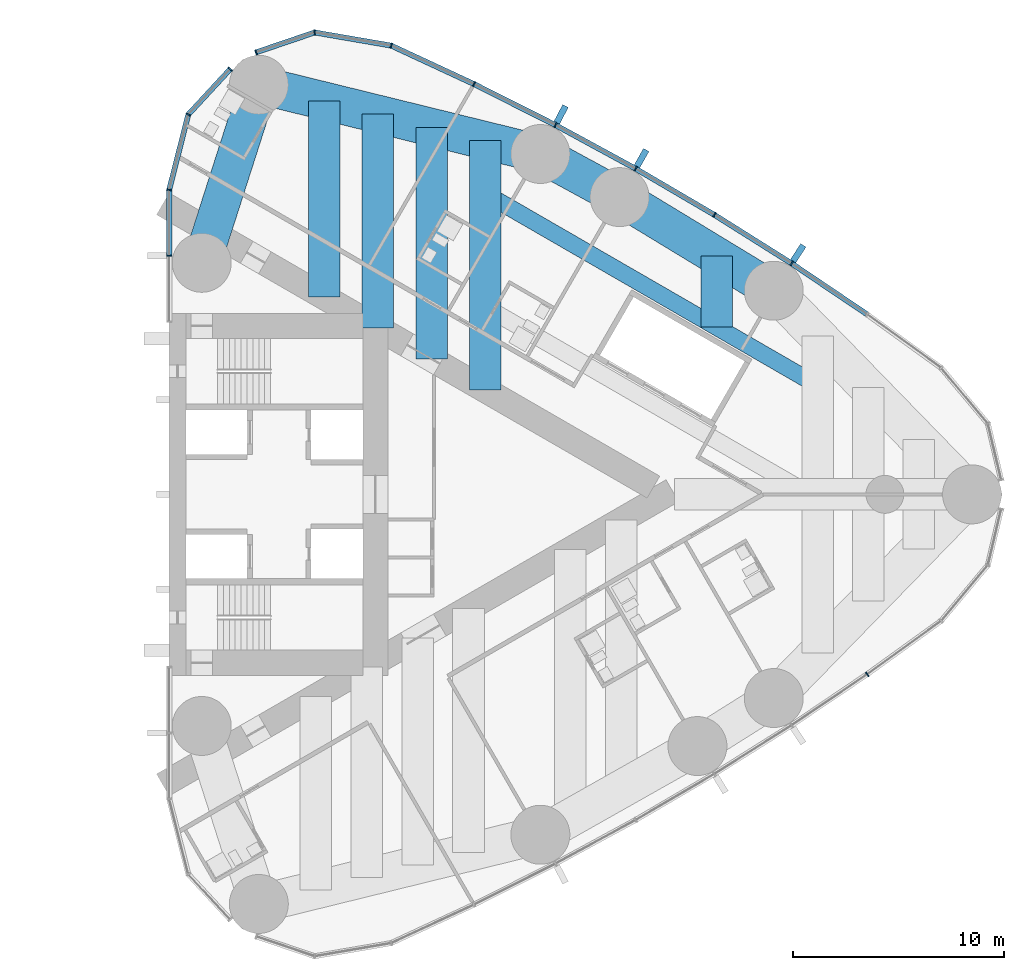
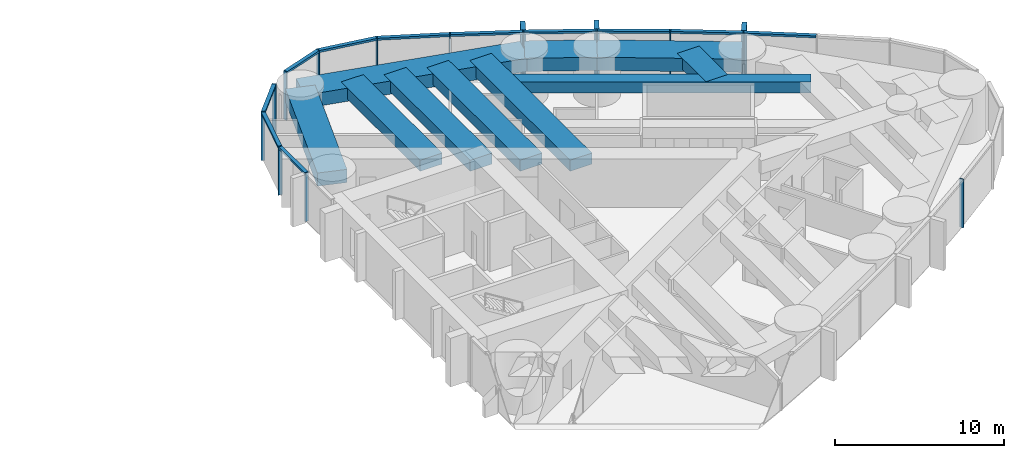
# One storey, part 8 of 19: 27 members, 10 beams, 3 elements without a shape of their own.
"""IFC4 building model written with IfcOpenShell, lengths in metres."""

from ifc_helpers import new_model, si_unit, direction, frame, origin, origin_2d, place, context, subcontext, project, spatial, rectangle, hollow_rectangle, extrude, material, material_profile, profile_set, type_object, element, aggregate, save


model = new_model("IFC4")

# Units and contexts
model_context = context("Model", 3, precision=1e-05, world=origin(), true_north=direction((0.0, 1.0)))
body_context = subcontext(model_context, "Body", "Model", "MODEL_VIEW")
ifc_project = project(units=[si_unit("LENGTHUNIT", "METRE"), si_unit("AREAUNIT", "SQUARE_METRE"), si_unit("VOLUMEUNIT", "CUBIC_METRE"), si_unit("PLANEANGLEUNIT", "RADIAN"), si_unit("MASSUNIT", "GRAM", prefix="KILO")], contexts=[model_context])

# Site, building, storey
site_placement = place(None, origin())
site = spatial("IfcSite", under=ifc_project, at=site_placement, CompositionType="ELEMENT")
building_placement = place(site_placement, origin())
building = spatial("IfcBuilding", under=site, at=building_placement, Name="Lancet Gate Hotel", CompositionType="ELEMENT")
storey_placement = place(building_placement, frame((0.0, 0.0, 163.300048828125)))
storey = spatial("IfcBuildingStorey", under=building, at=storey_placement, Name="L43", CompositionType="ELEMENT", Elevation=163.300048828125)

# Curtain wall, member
ifc_material_1 = material(Name="Aluminium curtain wall", Category="aluminium")
curtain_wall_type = type_object("IfcCurtainWallType", Name="Tower unitised curtain wall", PredefinedType="USERDEFINED", material=ifc_material_1)
curtain_wall_1_placement = place(storey_placement, origin())
curtain_wall_1 = element("IfcCurtainWall", 1, at=curtain_wall_1_placement, inside=storey, type_object=curtain_wall_type, Name="T2 L43 curtain wall 2", ObjectType="UNITISED CURTAIN WALL", PredefinedType="USERDEFINED")
ifc_material_2 = material(Name="Aluminium mullion", Category="aluminium")
ifc_material_profile_1 = material_profile(ifc_material_2, rectangle(XDim=0.06494140625, YDim=0.25, at=origin_2d()), Name="MULLION 65x250")
ifc_profile_set_1 = profile_set([ifc_material_profile_1], Name="Aluminium mullion")
member_type_1 = type_object("IfcMemberType", Name="Aluminium mullion 65x250", PredefinedType="MULLION", material=ifc_profile_set_1)
member_1_placement = place(storey_placement, frame((60.66015625, -8.547607421875, 0.0), z_axis=(0.0, 0.0, 1.0), x_axis=(0.820068208435, 0.572265789222, 0.0)))
member_1 = element("IfcMember", 2, at=member_1_placement, type_object=member_type_1, Name="T2 L43 curtain wall 2 mullion 9", PredefinedType="MULLION", context=body_context, shape_type="SweptSolid", body=[
    extrude(rectangle(XDim=0.06494140625, YDim=0.25, at=origin_2d()), origin(), (0.0, 0.0, 1.0), 3.5),
])
aggregate(curtain_wall_1, [member_1])

# Curtain wall, members
curtain_wall_2_placement = place(storey_placement, origin())
curtain_wall_2 = element("IfcCurtainWall", 3, at=curtain_wall_2_placement, inside=storey, type_object=curtain_wall_type, Name="T2 L43 curtain wall 3", ObjectType="UNITISED CURTAIN WALL", PredefinedType="USERDEFINED")
member_2_placement = place(storey_placement, frame((57.067138671875, 10.970947265625, 0.0), z_axis=(0.0, 0.0, 1.0), x_axis=(-0.837800943278, 0.545975804815, 0.0)))
member_2 = element("IfcMember", 4, at=member_2_placement, type_object=member_type_1, Name="T2 L43 curtain wall 3 mullion 5", PredefinedType="MULLION", context=body_context, shape_type="SweptSolid", body=[
    extrude(rectangle(XDim=0.06494140625, YDim=0.25, at=origin_2d()), origin(), (0.0, 0.0, 1.0), 3.5),
])
member_3_placement = place(storey_placement, frame((53.39892578125, 13.279541015625, 0.0), z_axis=(0.0, 0.0, 1.0), x_axis=(-0.854691174453, 0.519136779965, 0.0)))
member_3 = element("IfcMember", 5, at=member_3_placement, type_object=member_type_1, Name="T2 L43 curtain wall 3 mullion 6", PredefinedType="MULLION", context=body_context, shape_type="SweptSolid", body=[
    extrude(rectangle(XDim=0.06494140625, YDim=0.25, at=origin_2d()), origin(), (0.0, 0.0, 1.0), 3.5),
])
member_4_placement = place(storey_placement, frame((49.65966796875, 15.47021484375, 0.0), z_axis=(0.0, 0.0, 1.0), x_axis=(-0.870721916932, 0.491775704336, 0.0)))
member_4 = element("IfcMember", 6, at=member_4_placement, type_object=member_type_1, Name="T2 L43 curtain wall 3 mullion 7", PredefinedType="MULLION", context=body_context, shape_type="SweptSolid", body=[
    extrude(rectangle(XDim=0.06494140625, YDim=0.25, at=origin_2d()), origin(), (0.0, 0.0, 1.0), 3.5),
])
member_5_placement = place(storey_placement, frame((45.8525390625, 17.54150390625, 0.0), z_axis=(0.0, 0.0, 1.0), x_axis=(-0.885877049989, 0.463920092584, 0.0)))
member_5 = element("IfcMember", 7, at=member_5_placement, type_object=member_type_1, Name="T2 L43 curtain wall 3 mullion 8", PredefinedType="MULLION", context=body_context, shape_type="SweptSolid", body=[
    extrude(rectangle(XDim=0.06494140625, YDim=0.25, at=origin_2d()), origin(), (0.0, 0.0, 1.0), 3.5),
])
member_6_placement = place(storey_placement, frame((41.98193359375, 19.490966796875, 0.0), z_axis=(0.0, 0.0, 1.0), x_axis=(-0.900141333422, 0.435597956681, 0.0)))
member_6 = element("IfcMember", 8, at=member_6_placement, type_object=member_type_1, Name="T2 L43 curtain wall 3 mullion 9", PredefinedType="MULLION", context=body_context, shape_type="SweptSolid", body=[
    extrude(rectangle(XDim=0.06494140625, YDim=0.25, at=origin_2d()), origin(), (0.0, 0.0, 1.0), 3.5),
])
member_7_placement = place(storey_placement, frame((38.05126953125, 21.31689453125, 0.0), z_axis=(0.0, 0.0, 1.0), x_axis=(-0.951355493327, 0.308095318555, 0.0)))
member_7 = element("IfcMember", 9, at=member_7_placement, type_object=member_type_1, Name="T2 L43 curtain wall 3 mullion 10", PredefinedType="MULLION", context=body_context, shape_type="SweptSolid", body=[
    extrude(rectangle(XDim=0.06494140625, YDim=0.25, at=origin_2d()), origin(), (0.0, 0.0, 1.0), 3.5),
])
member_8_placement = place(storey_placement, frame((34.412109375, 21.9423828125, 0.0), z_axis=(0.0, 0.0, 1.0), x_axis=(-0.99877556888, -0.049470829879, 0.0)))
member_8 = element("IfcMember", 10, at=member_8_placement, type_object=member_type_1, Name="T2 L43 curtain wall 3 mullion 11", PredefinedType="MULLION", context=body_context, shape_type="SweptSolid", body=[
    extrude(rectangle(XDim=0.06494140625, YDim=0.25, at=origin_2d()), origin(), (0.0, 0.0, 1.0), 3.5),
])
member_9_placement = place(storey_placement, frame((31.631591796875, 20.998779296875, 0.0), z_axis=(0.0, 0.0, 1.0), x_axis=(-0.946952368511, -0.321373943827, 0.0)))
member_9 = element("IfcMember", 11, at=member_9_placement, type_object=member_type_1, Name="T2 L43 curtain wall 3 mullion 12", PredefinedType="MULLION", context=body_context, shape_type="SweptSolid", body=[
    extrude(rectangle(XDim=0.06494140625, YDim=0.25, at=origin_2d()), origin(), (0.0, 0.0, 1.0), 3.5),
])

curtain_wall_3_placement = place(storey_placement, origin())
curtain_wall_3 = element("IfcCurtainWall", 12, at=curtain_wall_3_placement, inside=storey, type_object=curtain_wall_type, Name="T2 L43 curtain wall 4", ObjectType="UNITISED CURTAIN WALL", PredefinedType="USERDEFINED")
member_10_placement = place(storey_placement, frame((30.40185546875, 20.199951171875, 0.0), z_axis=(0.0, 0.0, 1.0), x_axis=(-0.67883123083, -0.734294327943, 0.0)))
member_10 = element("IfcMember", 13, at=member_10_placement, type_object=member_type_1, Name="T2 L43 curtain wall 4 mullion 1", PredefinedType="MULLION", context=body_context, shape_type="SweptSolid", body=[
    extrude(rectangle(XDim=0.06494140625, YDim=0.25, at=origin_2d()), origin(), (0.0, 0.0, 1.0), 3.5),
])
member_11_placement = place(storey_placement, frame((28.408935546875, 18.04443359375, 0.0), z_axis=(0.0, 0.0, 1.0), x_axis=(-0.451505925065, -0.892268120932, 0.0)))
member_11 = element("IfcMember", 14, at=member_11_placement, type_object=member_type_1, Name="T2 L43 curtain wall 4 mullion 2", PredefinedType="MULLION", context=body_context, shape_type="SweptSolid", body=[
    extrude(rectangle(XDim=0.06494140625, YDim=0.25, at=origin_2d()), origin(), (0.0, 0.0, 1.0), 3.5),
])
member_12_placement = place(storey_placement, frame((27.5, 14.465576171875, 0.0), z_axis=(0.0, 0.0, 1.0), x_axis=(-0.134206524909, -0.990953383703, 0.0)))
member_12 = element("IfcMember", 15, at=member_12_placement, type_object=member_type_1, Name="T2 L43 curtain wall 4 mullion 3", PredefinedType="MULLION", context=body_context, shape_type="SweptSolid", body=[
    extrude(rectangle(XDim=0.06494140625, YDim=0.25, at=origin_2d()), origin(), (0.0, 0.0, 1.0), 3.5),
])
member_13_placement = place(storey_placement, frame((27.5, 11.332763671875, 0.0), z_axis=(0.0, 0.0, 1.0), x_axis=(0.0, -1.0, 0.0)))
member_13 = element("IfcMember", 16, at=member_13_placement, type_object=member_type_1, Name="T2 L43 curtain wall 4 mullion 4", PredefinedType="MULLION", context=body_context, shape_type="SweptSolid", body=[
    extrude(rectangle(XDim=0.06494140625, YDim=0.25, at=origin_2d()), origin(), (0.0, 0.0, 1.0), 3.5),
])

# Member
ifc_material_3 = material(Name="Aluminium transom", Category="aluminium")
ifc_material_profile_2 = material_profile(ifc_material_3, rectangle(XDim=0.25, YDim=0.14990234375, at=origin_2d()), Name="TRANSOM 250x150")
ifc_profile_set_2 = profile_set([ifc_material_profile_2], Name="Aluminium transom")
member_type_2 = type_object("IfcMemberType", Name="Aluminium transom 250x150", PredefinedType="USERDEFINED", material=ifc_profile_set_2)
member_14_placement = place(storey_placement, frame((60.63330078125, 8.565673828125, 3.425048828125), z_axis=(-0.829046850689, 0.559179147826, 0.0), x_axis=(-0.559179147826, -0.829046850689, 0.0)))
member_14 = element("IfcMember", 17, at=member_14_placement, type_object=member_type_2, Name="T2 L43 curtain wall 3 transom 4", ObjectType="TRANSOM", PredefinedType="USERDEFINED", context=body_context, shape_type="SweptSolid", body=[
    extrude(rectangle(XDim=0.25, YDim=0.14990234375, at=origin_2d()), origin(), (0.0, 0.0, 1.0), 4.26904296875),
])

member_15_placement = place(storey_placement, frame((57.03955078125, 10.98828125, 3.425048828125), z_axis=(-0.846333101657, 0.532653997488, 0.0), x_axis=(-0.532653997488, -0.846333101657, 0.0)))
member_15 = element("IfcMember", 18, at=member_15_placement, type_object=member_type_2, Name="T2 L43 curtain wall 3 transom 5", ObjectType="TRANSOM", PredefinedType="USERDEFINED", context=body_context, shape_type="SweptSolid", body=[
    extrude(rectangle(XDim=0.25, YDim=0.14990234375, at=origin_2d()), origin(), (0.0, 0.0, 1.0), 4.26904296875),
])

member_16_placement = place(storey_placement, frame((53.37109375, 13.2958984375, 3.425048828125), z_axis=(-0.862825279032, 0.505502262966, 0.0), x_axis=(-0.505502262966, -0.862825279032, 0.0)))
member_16 = element("IfcMember", 19, at=member_16_placement, type_object=member_type_2, Name="T2 L43 curtain wall 3 transom 6", ObjectType="TRANSOM", PredefinedType="USERDEFINED", context=body_context, shape_type="SweptSolid", body=[
    extrude(rectangle(XDim=0.25, YDim=0.14990234375, at=origin_2d()), origin(), (0.0, 0.0, 1.0), 4.26904296875),
])

member_17_placement = place(storey_placement, frame((49.631103515625, 15.48583984375, 3.425048828125), z_axis=(-0.878404302735, 0.477918278513, 0.0), x_axis=(-0.477918278513, -0.878404302735, 0.0)))
member_17 = element("IfcMember", 20, at=member_17_placement, type_object=member_type_2, Name="T2 L43 curtain wall 3 transom 7", ObjectType="TRANSOM", PredefinedType="USERDEFINED", context=body_context, shape_type="SweptSolid", body=[
    extrude(rectangle(XDim=0.25, YDim=0.14990234375, at=origin_2d()), origin(), (0.0, 0.0, 1.0), 4.26904296875),
])

member_18_placement = place(storey_placement, frame((45.82373046875, 17.55615234375, 3.425048828125), z_axis=(-0.893130969207, 0.449796700571, 0.0), x_axis=(-0.449796700571, -0.893130969207, 0.0)))
member_18 = element("IfcMember", 21, at=member_18_placement, type_object=member_type_2, Name="T2 L43 curtain wall 3 transom 8", ObjectType="TRANSOM", PredefinedType="USERDEFINED", context=body_context, shape_type="SweptSolid", body=[
    extrude(rectangle(XDim=0.25, YDim=0.14990234375, at=origin_2d()), origin(), (0.0, 0.0, 1.0), 4.26904296875),
])

member_19_placement = place(storey_placement, frame((41.952392578125, 19.504638671875, 3.425048828125), z_axis=(-0.906913768492, 0.421316290357, 0.0), x_axis=(-0.421316290357, -0.906913768492, 0.0)))
member_19 = element("IfcMember", 22, at=member_19_placement, type_object=member_type_2, Name="T2 L43 curtain wall 3 transom 9", ObjectType="TRANSOM", PredefinedType="USERDEFINED", context=body_context, shape_type="SweptSolid", body=[
    extrude(rectangle(XDim=0.25, YDim=0.14990234375, at=origin_2d()), origin(), (0.0, 0.0, 1.0), 4.26904296875),
])

member_20_placement = place(storey_placement, frame((38.019287109375, 21.322265625, 3.425048828125), z_axis=(-0.985536950873, 0.169460669373, 0.0), x_axis=(-0.169460669373, -0.985536950873, 0.0)))
member_20 = element("IfcMember", 23, at=member_20_placement, type_object=member_type_2, Name="T2 L43 curtain wall 3 transom 10", ObjectType="TRANSOM", PredefinedType="USERDEFINED", context=body_context, shape_type="SweptSolid", body=[
    extrude(rectangle(XDim=0.25, YDim=0.14990234375, at=origin_2d()), origin(), (0.0, 0.0, 1.0), 3.627685546875),
])

member_21_placement = place(storey_placement, frame((34.38134765625, 21.93212890625, 3.425048828125), z_axis=(-0.946943122832, -0.321401185625, 0.0), x_axis=(0.321401185625, -0.946943122832, 0.0)))
member_21 = element("IfcMember", 24, at=member_21_placement, type_object=member_type_2, Name="T2 L43 curtain wall 3 transom 11", ObjectType="TRANSOM", PredefinedType="USERDEFINED", context=body_context, shape_type="SweptSolid", body=[
    extrude(rectangle(XDim=0.25, YDim=0.14990234375, at=origin_2d()), origin(), (0.0, 0.0, 1.0), 2.871337890625),
])

member_22_placement = place(storey_placement, frame((30.379638671875, 20.17626953125, 3.425048828125), z_axis=(-0.678792146129, -0.734330458549, 0.0), x_axis=(0.734330458549, -0.678792146129, 0.0)))
member_22 = element("IfcMember", 25, at=member_22_placement, type_object=member_type_2, Name="T2 L43 curtain wall 4 transom 1", ObjectType="TRANSOM", PredefinedType="USERDEFINED", context=body_context, shape_type="SweptSolid", body=[
    extrude(rectangle(XDim=0.25, YDim=0.14990234375, at=origin_2d()), origin(), (0.0, 0.0, 1.0), 2.87060546875),
])

member_23_placement = place(storey_placement, frame((28.40087890625, 18.012939453125, 3.425048828125), z_axis=(-0.246128756616, -0.969237140831, 0.0), x_axis=(0.969237140831, -0.246128756616, 0.0)))
member_23 = element("IfcMember", 26, at=member_23_placement, type_object=member_type_2, Name="T2 L43 curtain wall 4 transom 2", ObjectType="TRANSOM", PredefinedType="USERDEFINED", context=body_context, shape_type="SweptSolid", body=[
    extrude(rectangle(XDim=0.25, YDim=0.14990234375, at=origin_2d()), origin(), (0.0, 0.0, 1.0), 3.62744140625),
])

member_24_placement = place(storey_placement, frame((27.5, 14.43310546875, 3.425048828125), z_axis=(0.0, -1.0, 0.0), x_axis=(1.0, 0.0, 0.0)))
member_24 = element("IfcMember", 27, at=member_24_placement, type_object=member_type_2, Name="T2 L43 curtain wall 4 transom 3", ObjectType="TRANSOM", PredefinedType="USERDEFINED", context=body_context, shape_type="SweptSolid", body=[
    extrude(rectangle(XDim=0.25, YDim=0.14990234375, at=origin_2d()), origin(), (0.0, 0.0, 1.0), 3.06787109375),
])

aggregate(curtain_wall_3, [member_10, member_11, member_12, member_13, member_22, member_23, member_24])

# Beams
ifc_material_4 = material(Name="Concrete C50/60", Category="concrete")
ifc_material_profile_3 = material_profile(ifc_material_4, rectangle(XDim=1.800048828125, YDim=0.949951171875, at=origin_2d()), Name="RC 1800x950")
ifc_profile_set_3 = profile_set([ifc_material_profile_3], Name="Concrete C50/60")
beam_type_1 = type_object("IfcBeamType", Name="Edge beam RC 1800x950", PredefinedType="SPANDREL", material=ifc_profile_set_3)
beam_1_placement = place(storey_placement, frame((56.220947265625, 9.67236328125, 2.77490234375), z_axis=(-0.854692251129, 0.519135007353, 0.0), x_axis=(-0.519135007353, -0.854692251129, 0.0)))
element("IfcBeam", 28, at=beam_1_placement, inside=storey, type_object=beam_type_1, Name="T2 edge beam EB1 L43", PredefinedType="SPANDREL", context=body_context, shape_type="SweptSolid", body=[
    extrude(rectangle(XDim=1.800048828125, YDim=0.949951171875, at=origin_2d()), origin(), (0.0, 0.0, 1.0), 8.568603515625),
])
beam_2_placement = place(storey_placement, frame((48.8974609375, 14.12060546875, 2.77490234375), z_axis=(-0.878404597051, 0.477917737566, 0.0), x_axis=(-0.477917737566, -0.878404597051, 0.0)))
element("IfcBeam", 29, at=beam_2_placement, inside=storey, type_object=beam_type_1, Name="T2 edge beam EB1 L43", PredefinedType="SPANDREL", context=body_context, shape_type="SweptSolid", body=[
    extrude(rectangle(XDim=1.800048828125, YDim=0.949951171875, at=origin_2d()), origin(), (0.0, 0.0, 1.0), 4.284912109375),
])
beam_3_placement = place(storey_placement, frame((45.133544921875, 16.16845703125, 2.77490234375), z_axis=(-0.971093253227, 0.238700426344, 0.0), x_axis=(-0.238700426344, -0.971093253227, 0.0)))
element("IfcBeam", 30, at=beam_3_placement, inside=storey, type_object=beam_type_1, Name="T2 edge beam EB1 L43", PredefinedType="SPANDREL", context=body_context, shape_type="SweptSolid", body=[
    extrude(rectangle(XDim=1.800048828125, YDim=0.949951171875, at=origin_2d()), origin(), (0.0, 0.0, 1.0), 13.77197265625),
])
beam_4_placement = place(storey_placement, frame((29.050048828125, 11.0, 2.77490234375), z_axis=(0.305169772986, 0.952297962644, 0.0), x_axis=(-0.952297962644, 0.305169772986, 0.0)))
element("IfcBeam", 31, at=beam_4_placement, inside=storey, type_object=beam_type_1, Name="T2 edge beam EB1 L43", PredefinedType="SPANDREL", context=body_context, shape_type="SweptSolid", body=[
    extrude(rectangle(XDim=1.800048828125, YDim=0.949951171875, at=origin_2d()), origin(), (0.0, 0.0, 1.0), 8.87939453125),
])

# Member
ifc_material_5 = material(Name="Precast concrete C50/60", Category="concrete")
ifc_material_profile_4 = material_profile(ifc_material_5, rectangle(XDim=0.300048828125, YDim=0.89990234375, at=origin_2d()), Name="FIN 300x900")
ifc_profile_set_4 = profile_set([ifc_material_profile_4], Name="Precast concrete C50/60")
member_type_3 = type_object("IfcMemberType", Name="Exposed concrete fin 300x900", PredefinedType="USERDEFINED", material=ifc_profile_set_4)
member_25_placement = place(storey_placement, frame((57.381103515625, 11.452880859375, 0.0), z_axis=(0.0, 0.0, 1.0), x_axis=(-0.837800943278, 0.545975804815, 0.0)))
member_25 = element("IfcMember", 32, at=member_25_placement, type_object=member_type_3, Name="T2 L43 curtain wall 3 fin 5", ObjectType="FIN", PredefinedType="USERDEFINED", context=body_context, shape_type="SweptSolid", body=[
    extrude(rectangle(XDim=0.300048828125, YDim=0.89990234375, at=origin_2d()), origin(), (0.0, 0.0, 1.0), 3.5),
])

member_26_placement = place(storey_placement, frame((49.9423828125, 15.970947265625, 0.0), z_axis=(0.0, 0.0, 1.0), x_axis=(-0.870721916932, 0.491775704336, 0.0)))
member_26 = element("IfcMember", 33, at=member_26_placement, type_object=member_type_3, Name="T2 L43 curtain wall 3 fin 7", ObjectType="FIN", PredefinedType="USERDEFINED", context=body_context, shape_type="SweptSolid", body=[
    extrude(rectangle(XDim=0.300048828125, YDim=0.89990234375, at=origin_2d()), origin(), (0.0, 0.0, 1.0), 3.5),
])

member_27_placement = place(storey_placement, frame((46.119384765625, 18.051025390625, 0.0), z_axis=(0.0, 0.0, 1.0), x_axis=(-0.885877049989, 0.463920092584, 0.0)))
member_27 = element("IfcMember", 34, at=member_27_placement, type_object=member_type_3, Name="T2 L43 curtain wall 3 fin 8", ObjectType="FIN", PredefinedType="USERDEFINED", context=body_context, shape_type="SweptSolid", body=[
    extrude(rectangle(XDim=0.300048828125, YDim=0.89990234375, at=origin_2d()), origin(), (0.0, 0.0, 1.0), 3.5),
])

aggregate(curtain_wall_2, [member_2, member_25, member_3, member_4, member_26, member_5, member_27, member_6, member_7, member_8, member_9, member_14, member_15, member_16, member_17, member_18, member_19, member_20, member_21])

# Beams
ifc_material_6 = material(Name="Concrete C50/60", Category="concrete")
ifc_material_profile_5 = material_profile(ifc_material_6, rectangle(XDim=1.5, YDim=0.800048828125, at=origin_2d()), Name="RC 1500x800")
ifc_profile_set_5 = profile_set([ifc_material_profile_5], Name="Concrete C50/60")
beam_type_2 = type_object("IfcBeamType", Name="Floor beam RC 1500x800", PredefinedType="BEAM", material=ifc_profile_set_5)
beam_5_placement = place(storey_placement, frame((34.859619140625, 9.377685546875, 2.849853515625), z_axis=(0.0, 1.0, 0.0), x_axis=(-1.0, 0.0, 0.0)))
element("IfcBeam", 35, at=beam_5_placement, inside=storey, type_object=beam_type_2, Name="T2 floor beam F02N L43", PredefinedType="BEAM", context=body_context, shape_type="SweptSolid", body=[
    extrude(rectangle(XDim=1.5, YDim=0.800048828125, at=origin_2d()), origin(), (0.0, 0.0, 1.0), 9.316162109375),
])
beam_6_placement = place(storey_placement, frame((37.412841796875, 7.903564453125, 2.849853515625), z_axis=(0.0, 1.0, 0.0), x_axis=(-1.0, 0.0, 0.0)))
element("IfcBeam", 36, at=beam_6_placement, inside=storey, type_object=beam_type_2, Name="T2 floor beam F04N L43", PredefinedType="BEAM", context=body_context, shape_type="SweptSolid", body=[
    extrude(rectangle(XDim=1.5, YDim=0.800048828125, at=origin_2d()), origin(), (0.0, 0.0, 1.0), 10.16259765625),
])
beam_7_placement = place(storey_placement, frame((39.9658203125, 6.429443359375, 2.849853515625), z_axis=(0.0, 1.0, 0.0), x_axis=(-1.0, 0.0, 0.0)))
element("IfcBeam", 37, at=beam_7_placement, inside=storey, type_object=beam_type_2, Name="T2 floor beam F06N L43", PredefinedType="BEAM", context=body_context, shape_type="SweptSolid", body=[
    extrude(rectangle(XDim=1.5, YDim=0.800048828125, at=origin_2d()), origin(), (0.0, 0.0, 1.0), 11.00927734375),
])
beam_8_placement = place(storey_placement, frame((42.51904296875, 4.95556640625, 2.849853515625), z_axis=(0.0, 1.0, 0.0), x_axis=(-1.0, 0.0, 0.0)))
element("IfcBeam", 38, at=beam_8_placement, inside=storey, type_object=beam_type_2, Name="T2 floor beam F08N L43", PredefinedType="BEAM", context=body_context, shape_type="SweptSolid", body=[
    extrude(rectangle(XDim=1.5, YDim=0.800048828125, at=origin_2d()), origin(), (0.0, 0.0, 1.0), 11.85546875),
])
beam_9_placement = place(storey_placement, frame((53.502197265625, 7.94775390625, 2.849853515625), z_axis=(0.0, 1.0, 0.0), x_axis=(-1.0, 0.0, 0.0)))
element("IfcBeam", 39, at=beam_9_placement, inside=storey, type_object=beam_type_2, Name="T2 floor beam F11NB L43", PredefinedType="BEAM", context=body_context, shape_type="SweptSolid", body=[
    extrude(rectangle(XDim=1.5, YDim=0.800048828125, at=origin_2d()), origin(), (0.0, 0.0, 1.0), 3.3759765625),
])
ifc_material_7 = material(Name="Steel S460QL", Category="steel")
ifc_material_profile_6 = material_profile(ifc_material_7, hollow_rectangle(XDim=0.800048828125, YDim=0.800048828125, WallThickness=0.080078125, at=origin_2d()), Name="BOX 800x800x80")
ifc_profile_set_6 = profile_set([ifc_material_profile_6], Name="Steel S460QL")
beam_type_3 = type_object("IfcBeamType", Name="Trimmer beam BOX 800x800x80", PredefinedType="BEAM", material=ifc_profile_set_6)
beam_10_placement = place(storey_placement, frame((42.51904296875, 14.289794921875, 2.849853515625), z_axis=(0.865993732867, -0.500054851626, 0.0), x_axis=(0.500054851626, 0.865993732867, 0.0)))
element("IfcBeam", 40, at=beam_10_placement, inside=storey, type_object=beam_type_3, Name="T2 trimmer beam TR01N L43", PredefinedType="BEAM", context=body_context, shape_type="SweptSolid", body=[
    extrude(hollow_rectangle(XDim=0.800048828125, YDim=0.800048828125, WallThickness=0.080078125, at=origin_2d()), origin(), (0.0, 0.0, 1.0), 18.2255859375),
])

save(model, "model.ifc")
